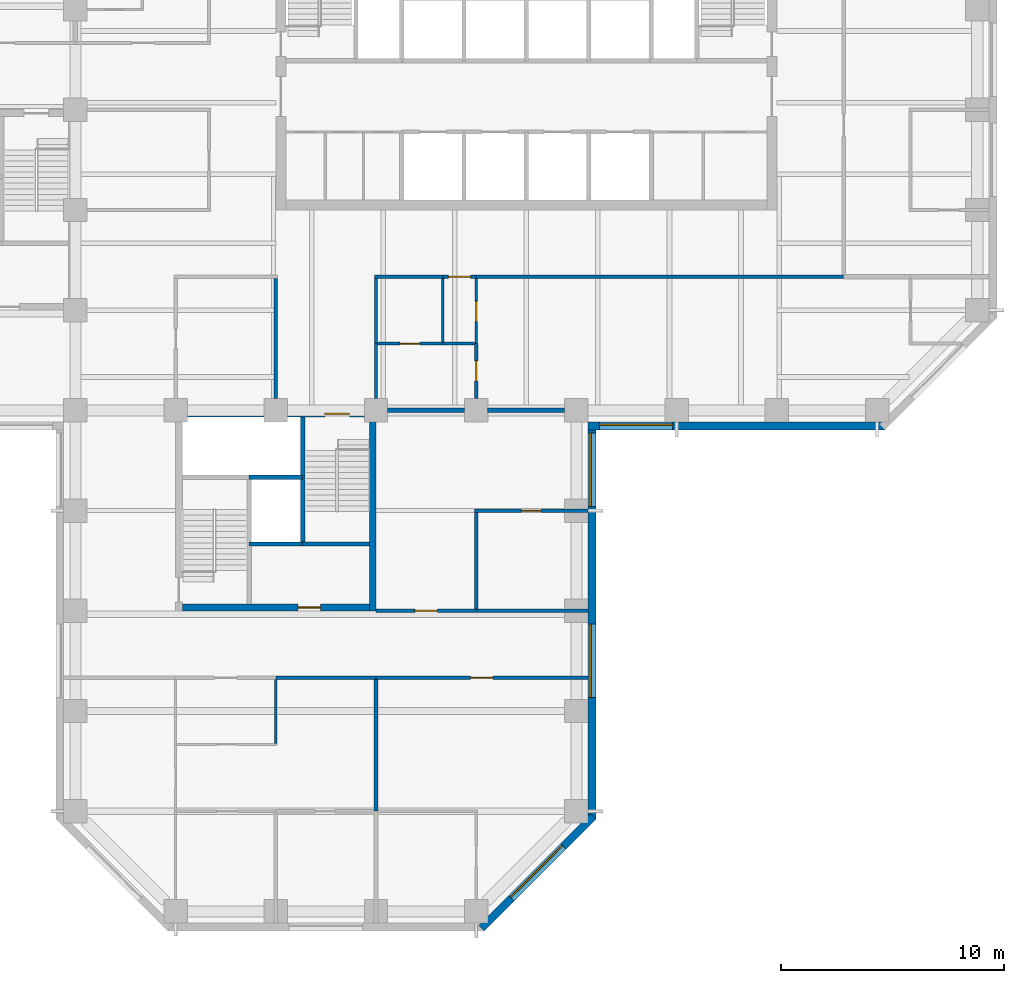
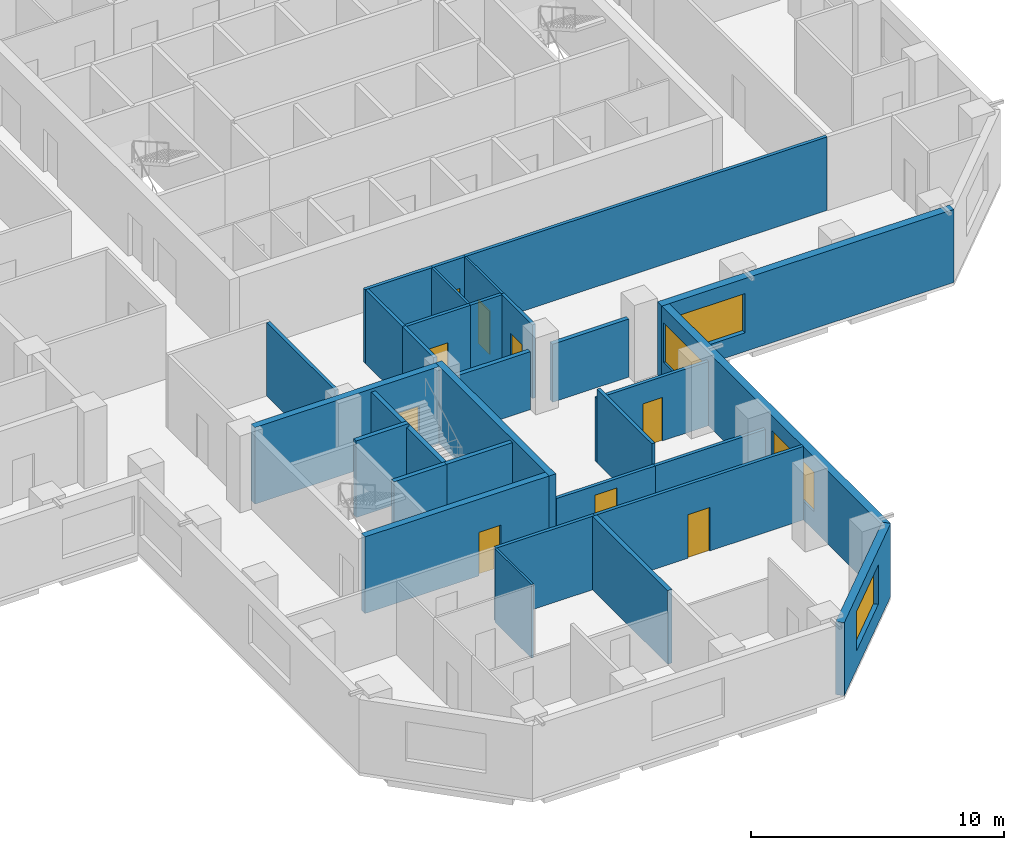
# One storey, part 4 of 11: 31 walls, 9 doors, 4 windows, 13 openings.
"""IFC4 building model written with IfcOpenShell, lengths in metres."""

from ifc_helpers import new_model, si_unit, direction, frame, frame_2d, origin, place, context, subcontext, project, spatial, rectangle, extrude, material, layer, layer_set, constituent, constituent_set, type_object, element, fill, save


model = new_model("IFC4")

# Units and contexts
model_context = context("Model", 3, precision=1e-05, world=origin(), true_north=direction((0.0, 1.0)))
body_context = subcontext(model_context, "Body", "Model", "MODEL_VIEW")
ifc_project = project(units=[si_unit("LENGTHUNIT", "METRE"), si_unit("AREAUNIT", "SQUARE_METRE"), si_unit("VOLUMEUNIT", "CUBIC_METRE"), si_unit("PLANEANGLEUNIT", "RADIAN"), si_unit("MASSUNIT", "GRAM", prefix="KILO")], contexts=[model_context])

# Site, building, storey
site_placement = place(None, origin())
site = spatial("IfcSite", under=ifc_project, at=site_placement, CompositionType="ELEMENT")
building_placement = place(site_placement, origin())
building = spatial("IfcBuilding", under=site, at=building_placement, Name="Quoin Convention Tower", CompositionType="ELEMENT")
storey_placement = place(building_placement, frame((0.0, 0.0, 123.300048828125)))
storey = spatial("IfcBuildingStorey", under=building, at=storey_placement, Name="L32", CompositionType="ELEMENT", Elevation=123.300048828125)

# Wall, opening, door
ifc_material_1 = material(Name="Plasterboard")
ifc_layer_1 = layer(ifc_material_1, 0.012451171875, Name="Finish")
ifc_material_2 = material(Name="Steel stud framing", Category="steel")
ifc_layer_2 = layer(ifc_material_2, 0.125, Name="Structure")
ifc_layer_3 = layer(ifc_material_1, 0.012451171875, Name="Finish")
ifc_layer_set_1 = layer_set([ifc_layer_1, ifc_layer_2, ifc_layer_3], Name="Steel stud framing")
wall_type_1 = type_object("IfcWallType", Name="Acoustic partition 150", PredefinedType="PARTITIONING", material=ifc_layer_set_1)
wall_1_placement = place(storey_placement, frame((49.574951171875, 43.5, 0.0), z_axis=(0.0, 0.0, 1.0), x_axis=(1.0, 0.0, 0.0)))
wall_1 = element("IfcWall", 1, at=wall_1_placement, inside=storey, type_object=wall_type_1, Name="pw-L32-014", PredefinedType="PARTITIONING", context=body_context, shape_type="SweptSolid", body=[
    extrude(rectangle(XDim=2.925048828125, YDim=0.14990234375, at=frame_2d((1.46240234375, 0.0))), origin(), (0.0, 0.0, 1.0), 3.550048828125),
])
opening_1_placement = place(wall_1_placement, frame((1.0, 0.0, 0.0)))
opening_1 = element("IfcOpeningElement", 2, at=opening_1_placement, cuts=wall_1, Name="Opening DOL6-08", PredefinedType="OPENING", context=body_context, shape_type="SweptSolid", body=[
    extrude(rectangle(XDim=0.89990234375, YDim=2.10009765625, at=frame_2d((0.449951171875, 1.050048828125))), frame((0.0, 0.0849609375, 0.0), z_axis=(0.0, -1.0, 0.0), x_axis=(1.0, 0.0, 0.0)), (0.0, 0.0, 1.0), 0.169921875),
])
ifc_material_3 = material(Name="Steel door leaf", Category="steel")
door_type_1 = type_object("IfcDoorType", Name="Office door 900 x 2100", OperationType="SINGLE_SWING_RIGHT", PredefinedType="DOOR", material=ifc_material_3)
door_1_placement = place(opening_1_placement, frame((0.89990234375, 0.0, 0.0), z_axis=(0.0, 0.0, 1.0), x_axis=(-1.0, 0.0, 0.0)))
door_1 = element("IfcDoor", 3, at=door_1_placement, inside=storey, type_object=door_type_1, Name="dr-L32-22", OperationType="SINGLE_SWING_LEFT", OverallHeight=2.10009765625, OverallWidth=0.89990234375, PredefinedType="DOOR", context=body_context, shape_type="SweptSolid", body=[
    extrude(rectangle(XDim=0.89990234375, YDim=2.10009765625, at=frame_2d((0.449951171875, 1.050048828125))), frame((0.0, 0.02490234375, 0.0), z_axis=(0.0, -1.0, 0.0), x_axis=(1.0, 0.0, 0.0)), (0.0, 0.0, 1.0), 0.050048828125),
])
fill(opening_1, door_1)

# Walls
wall_2_placement = place(storey_placement, frame((52.5, 43.5, 0.0), z_axis=(0.0, 0.0, 1.0), x_axis=(1.0, 0.0, 0.0)))
element("IfcWall", 4, at=wall_2_placement, inside=storey, type_object=wall_type_1, Name="pw-L32-015", PredefinedType="PARTITIONING", context=body_context, shape_type="SweptSolid", body=[
    extrude(rectangle(XDim=1.425048828125, YDim=0.14990234375, at=frame_2d((0.71240234375, 0.0))), origin(), (0.0, 0.0, 1.0), 3.550048828125),
])
wall_3_placement = place(storey_placement, frame((54.0, 31.574951171875, 0.0), z_axis=(0.0, 0.0, 1.0), x_axis=(0.0, 1.0, 0.0)))
element("IfcWall", 5, at=wall_3_placement, inside=storey, type_object=wall_type_1, Name="pw-L32-067", PredefinedType="PARTITIONING", context=body_context, shape_type="SweptSolid", body=[
    extrude(rectangle(XDim=4.35009765625, YDim=0.14990234375, at=frame_2d((2.175048828125, 0.0))), origin(), (0.0, 0.0, 1.0), 3.550048828125),
])

# Wall, opening, door
wall_4_placement = place(storey_placement, frame((54.0, 41.02490234375, 0.0), z_axis=(0.0, 0.0, 1.0), x_axis=(0.0, 1.0, 0.0)))
wall_4 = element("IfcWall", 6, at=wall_4_placement, inside=storey, type_object=wall_type_1, Name="pw-L32-072", PredefinedType="PARTITIONING", context=body_context, shape_type="SweptSolid", body=[
    extrude(rectangle(XDim=2.47509765625, YDim=0.14990234375, at=frame_2d((1.237548828125, 0.0))), origin(), (0.0, 0.0, 1.0), 3.550048828125),
])
opening_2_placement = place(wall_4_placement, frame((0.800048828125, 0.0, 0.0)))
opening_2 = element("IfcOpeningElement", 7, at=opening_2_placement, cuts=wall_4, Name="Opening DOL6-26", PredefinedType="OPENING", context=body_context, shape_type="SweptSolid", body=[
    extrude(rectangle(XDim=0.89990234375, YDim=2.10009765625, at=frame_2d((0.449951171875, 1.050048828125))), frame((0.0, 0.0849609375, 0.0), z_axis=(0.0, -1.0, 0.0), x_axis=(1.0, 0.0, 0.0)), (0.0, 0.0, 1.0), 0.169921875),
])
door_2_placement = place(opening_2_placement, frame((0.89990234375, 0.0, 0.0), z_axis=(0.0, 0.0, 1.0), x_axis=(-1.0, 0.0, 0.0)))
door_2 = element("IfcDoor", 8, at=door_2_placement, inside=storey, type_object=door_type_1, Name="dr-L32-21", OperationType="SINGLE_SWING_LEFT", OverallHeight=2.10009765625, OverallWidth=0.89990234375, PredefinedType="DOOR", context=body_context, shape_type="SweptSolid", body=[
    extrude(rectangle(XDim=0.89990234375, YDim=2.10009765625, at=frame_2d((0.449951171875, 1.050048828125))), frame((0.0, 0.02490234375, 0.0), z_axis=(0.0, -1.0, 0.0), x_axis=(1.0, 0.0, 0.0)), (0.0, 0.0, 1.0), 0.050048828125),
])
fill(opening_2, door_2)

ifc_layer_4 = layer(ifc_material_1, 0.012451171875, Name="Finish")
ifc_layer_5 = layer(ifc_material_2, 0.125, Name="Structure")
ifc_layer_6 = layer(ifc_material_1, 0.012451171875, Name="Finish")
ifc_layer_set_2 = layer_set([ifc_layer_4, ifc_layer_5, ifc_layer_6], Name="Steel stud framing")
wall_type_2 = type_object("IfcWallType", Name="Acoustic partition 150 under beam 454", PredefinedType="PARTITIONING", material=ifc_layer_set_2)
wall_5_placement = place(storey_placement, frame((53.925048828125, 36.0, 0.0), z_axis=(0.0, 0.0, 1.0), x_axis=(1.0, 0.0, 0.0)))
wall_5 = element("IfcWall", 9, at=wall_5_placement, inside=storey, type_object=wall_type_2, Name="pw-L32-011", PredefinedType="PARTITIONING", context=body_context, shape_type="SweptSolid", body=[
    extrude(rectangle(XDim=5.099853515625, YDim=0.14990234375, at=frame_2d((2.5498046875, 0.0))), origin(), (0.0, 0.0, 1.0), 3.095947265625),
])
opening_3_placement = place(wall_5_placement, frame((2.10009765625, 0.0, 0.0)))
opening_3 = element("IfcOpeningElement", 10, at=opening_3_placement, cuts=wall_5, Name="Opening DOL6-07", PredefinedType="OPENING", context=body_context, shape_type="SweptSolid", body=[
    extrude(rectangle(XDim=0.89990234375, YDim=2.10009765625, at=frame_2d((0.449951171875, 1.050048828125))), frame((0.0, 0.0849609375, 0.0), z_axis=(0.0, -1.0, 0.0), x_axis=(1.0, 0.0, 0.0)), (0.0, 0.0, 1.0), 0.169921875),
])
door_3_placement = place(opening_3_placement, origin())
door_3 = element("IfcDoor", 11, at=door_3_placement, inside=storey, type_object=door_type_1, Name="dr-L32-17", OperationType="SINGLE_SWING_RIGHT", OverallHeight=2.10009765625, OverallWidth=0.89990234375, PredefinedType="DOOR", context=body_context, shape_type="SweptSolid", body=[
    extrude(rectangle(XDim=0.89990234375, YDim=2.10009765625, at=frame_2d((0.449951171875, 1.050048828125))), frame((0.0, 0.02490234375, 0.0), z_axis=(0.0, -1.0, 0.0), x_axis=(1.0, 0.0, 0.0)), (0.0, 0.0, 1.0), 0.050048828125),
])
fill(opening_3, door_3)

# Wall, opening, window
ifc_material_4 = material(Name="Brick masonry", Category="masonry")
ifc_layer_7 = layer(ifc_material_4, 0.35009765625)
ifc_layer_set_3 = layer_set([ifc_layer_7], Name="Brick masonry")
wall_type_3 = type_object("IfcWallType", Name="Brick facade wall", PredefinedType="STANDARD", material=ifc_layer_set_3)
wall_6_placement = place(storey_placement, frame((59.02490234375, 39.800048828125, 0.0), z_axis=(0.0, 0.0, 1.0), x_axis=(1.0, 0.0, 0.0)))
wall_6 = element("IfcWall", 12, at=wall_6_placement, inside=storey, type_object=wall_type_3, Name="fw-L32-58500_40500", PredefinedType="STANDARD", context=body_context, shape_type="SweptSolid", body=[
    extrude(rectangle(XDim=13.33740234375, YDim=0.35009765625, at=frame_2d((6.668701171875, 0.0))), origin(), (0.0, 0.0, 1.0), 3.52490234375),
])
opening_4_placement = place(wall_6_placement, frame((0.5, 0.0, 0.89990234375)))
opening_4 = element("IfcOpeningElement", 13, at=opening_4_placement, cuts=wall_6, Name="Opening W-02", PredefinedType="OPENING", context=body_context, shape_type="SweptSolid", body=[
    extrude(rectangle(XDim=3.300048828125, YDim=1.89990234375, at=frame_2d((1.64990234375, 0.949951171875))), frame((0.0, 0.18505859375, 0.0), z_axis=(0.0, -1.0, 0.0), x_axis=(1.0, 0.0, 0.0)), (0.0, 0.0, 1.0), 0.3701171875),
])
ifc_material_5 = material(Name="Aluminium", Category="aluminium")
ifc_constituent_1 = constituent(ifc_material_5, Name="Frame")
ifc_material_6 = material(Name="Insulated glass", Category="glass")
ifc_constituent_2 = constituent(ifc_material_6, Name="Glazing")
ifc_constituent_set = constituent_set(constituents=[ifc_constituent_1, ifc_constituent_2], Name="Aluminium")
window_type = type_object("IfcWindowType", Name="Office window", PartitioningType="DOUBLE_PANEL_VERTICAL", PredefinedType="WINDOW", material=ifc_constituent_set)
window_1_placement = place(opening_4_placement, origin())
window_1 = element("IfcWindow", 14, at=window_1_placement, inside=storey, type_object=window_type, Name="win-L32-60750_39800", OverallHeight=1.89990234375, OverallWidth=3.300048828125, PartitioningType="SINGLE_PANEL", PredefinedType="WINDOW", context=body_context, shape_type="SweptSolid", body=[
    extrude(rectangle(XDim=3.300048828125, YDim=1.89990234375, at=frame_2d((1.64990234375, 0.949951171875))), frame((0.0, 0.0849609375, 0.0), z_axis=(0.0, -1.0, 0.0), x_axis=(1.0, 0.0, 0.0)), (0.0, 0.0, 1.0), 0.06005859375),
])
fill(opening_4, window_1)

wall_7_placement = place(storey_placement, frame((54.23876953125, 17.248779296875, 0.0), z_axis=(0.0, 0.0, 1.0), x_axis=(0.707106781187, 0.707106781187, 0.0)))
wall_7 = element("IfcWall", 15, at=wall_7_placement, inside=storey, type_object=wall_type_3, Name="fw-L32-54000_18000", PredefinedType="STANDARD", context=body_context, shape_type="SweptSolid", body=[
    extrude(rectangle(XDim=7.088623046875, YDim=0.35009765625, at=frame_2d((3.54443359375, 0.0))), origin(), (0.0, 0.0, 1.0), 3.52490234375),
])
opening_5_placement = place(wall_7_placement, frame((1.894287109375, 0.0, 0.89990234375)))
opening_5 = element("IfcOpeningElement", 16, at=opening_5_placement, cuts=wall_7, Name="Opening W-02", PredefinedType="OPENING", context=body_context, shape_type="SweptSolid", body=[
    extrude(rectangle(XDim=3.300048828125, YDim=1.89990234375, at=frame_2d((1.64990234375, 0.949951171875))), frame((0.0, 0.18505859375, 0.0), z_axis=(0.0, -1.0, 0.0), x_axis=(1.0, 0.0, 0.0)), (0.0, 0.0, 1.0), 0.3701171875),
])
window_2_placement = place(opening_5_placement, origin())
window_2 = element("IfcWindow", 17, at=window_2_placement, inside=storey, type_object=window_type, Name="win-L32-56745_19755", OverallHeight=1.89990234375, OverallWidth=3.300048828125, PartitioningType="SINGLE_PANEL", PredefinedType="WINDOW", context=body_context, shape_type="SweptSolid", body=[
    extrude(rectangle(XDim=3.300048828125, YDim=1.89990234375, at=frame_2d((1.64990234375, 0.949951171875))), frame((0.0, 0.0849609375, 0.0), z_axis=(0.0, -1.0, 0.0), x_axis=(1.0, 0.0, 0.0)), (0.0, 0.0, 1.0), 0.06005859375),
])
fill(opening_5, window_2)

# Wall, openings, windows
wall_8_placement = place(storey_placement, frame((59.199951171875, 22.1376953125, 0.0), z_axis=(0.0, 0.0, 1.0), x_axis=(0.0, 1.0, 0.0)))
wall_8 = element("IfcWall", 18, at=wall_8_placement, inside=storey, type_object=wall_type_3, Name="fw-L32-58500_22500", PredefinedType="STANDARD", context=body_context, shape_type="SweptSolid", body=[
    extrude(rectangle(XDim=17.83740234375, YDim=0.35009765625, at=frame_2d((8.918701171875, 0.0))), origin(), (0.0, 0.0, 1.0), 3.52490234375),
])
opening_6_placement = place(wall_8_placement, frame((5.46240234375, 0.0, 0.89990234375)))
opening_6 = element("IfcOpeningElement", 19, at=opening_6_placement, cuts=wall_8, Name="Opening W-02", PredefinedType="OPENING", context=body_context, shape_type="SweptSolid", body=[
    extrude(rectangle(XDim=3.300048828125, YDim=1.89990234375, at=frame_2d((1.64990234375, 0.949951171875))), frame((0.0, 0.18505859375, 0.0), z_axis=(0.0, -1.0, 0.0), x_axis=(1.0, 0.0, 0.0)), (0.0, 0.0, 1.0), 0.3701171875),
])
opening_7_placement = place(wall_8_placement, frame((14.037353515625, 0.0, 0.89990234375)))
opening_7 = element("IfcOpeningElement", 20, at=opening_7_placement, cuts=wall_8, Name="Opening W-02", PredefinedType="OPENING", context=body_context, shape_type="SweptSolid", body=[
    extrude(rectangle(XDim=3.300048828125, YDim=1.89990234375, at=frame_2d((1.64990234375, 0.949951171875))), frame((0.0, 0.18505859375, 0.0), z_axis=(0.0, -1.0, 0.0), x_axis=(1.0, 0.0, 0.0)), (0.0, 0.0, 1.0), 0.3701171875),
])
window_3_placement = place(opening_6_placement, origin())
window_3 = element("IfcWindow", 21, at=window_3_placement, inside=storey, type_object=window_type, Name="win-L32-59200_29250", OverallHeight=1.89990234375, OverallWidth=3.300048828125, PartitioningType="SINGLE_PANEL", PredefinedType="WINDOW", context=body_context, shape_type="SweptSolid", body=[
    extrude(rectangle(XDim=3.300048828125, YDim=1.89990234375, at=frame_2d((1.64990234375, 0.949951171875))), frame((0.0, 0.0849609375, 0.0), z_axis=(0.0, -1.0, 0.0), x_axis=(1.0, 0.0, 0.0)), (0.0, 0.0, 1.0), 0.06005859375),
])
fill(opening_6, window_3)
window_4_placement = place(opening_7_placement, origin())
window_4 = element("IfcWindow", 22, at=window_4_placement, inside=storey, type_object=window_type, Name="win-L32-59200_38250", OverallHeight=1.89990234375, OverallWidth=3.300048828125, PartitioningType="SINGLE_PANEL", PredefinedType="WINDOW", context=body_context, shape_type="SweptSolid", body=[
    extrude(rectangle(XDim=3.300048828125, YDim=1.89990234375, at=frame_2d((1.64990234375, 0.949951171875))), frame((0.0, 0.0849609375, 0.0), z_axis=(0.0, -1.0, 0.0), x_axis=(1.0, 0.0, 0.0)), (0.0, 0.0, 1.0), 0.06005859375),
])
fill(opening_7, window_4)

# Walls
ifc_material_7 = material(Name="Concrete C50", Category="concrete")
ifc_layer_8 = layer(ifc_material_7, 0.199951171875)
ifc_layer_set_4 = layer_set([ifc_layer_8], Name="Concrete C50")
wall_type_4 = type_object("IfcWallType", Name="Core shaft wall", PredefinedType="SOLIDWALL", material=ifc_layer_set_4)
wall_9_placement = place(storey_placement, frame((43.800048828125, 34.5, 0.0), z_axis=(0.0, 0.0, 1.0), x_axis=(1.0, 0.0, 0.0)))
element("IfcWall", 23, at=wall_9_placement, inside=storey, type_object=wall_type_4, Name="cr-P3-L32-h3000_3300", PredefinedType="SOLIDWALL", context=body_context, shape_type="SweptSolid", body=[
    extrude(rectangle(XDim=2.39990234375, YDim=0.199951171875, at=frame_2d((1.199951171875, 0.0))), origin(), (0.0, 0.0, 1.0), 3.550048828125),
])
wall_10_placement = place(storey_placement, frame((46.199951171875, 34.5, 0.0), z_axis=(0.0, 0.0, 1.0), x_axis=(1.0, 0.0, 0.0)))
element("IfcWall", 24, at=wall_10_placement, inside=storey, type_object=wall_type_4, Name="cr-P3-L32-h3000_5700", PredefinedType="SOLIDWALL", context=body_context, shape_type="SweptSolid", body=[
    extrude(rectangle(XDim=3.0, YDim=0.199951171875, at=frame_2d((1.5, 0.0))), origin(), (0.0, 0.0, 1.0), 3.550048828125),
])
wall_11_placement = place(storey_placement, frame((46.199951171875, 34.5, 0.0), z_axis=(0.0, 0.0, 1.0), x_axis=(0.0, 1.0, 0.0)))
element("IfcWall", 25, at=wall_11_placement, inside=storey, type_object=wall_type_4, Name="cr-P3-L32-v5700_3000", PredefinedType="SOLIDWALL", context=body_context, shape_type="SweptSolid", body=[
    extrude(rectangle(XDim=5.699951171875, YDim=0.199951171875, at=frame_2d((2.85009765625, 0.0))), origin(), (0.0, 0.0, 1.0), 3.550048828125),
])
ifc_layer_9 = layer(ifc_material_7, 0.199951171875)
ifc_layer_set_5 = layer_set([ifc_layer_9], Name="Concrete C50")
wall_type_5 = type_object("IfcWallType", Name="Core shaft wall to the floor level over", PredefinedType="SOLIDWALL", material=ifc_layer_set_5)
wall_12_placement = place(storey_placement, frame((43.800048828125, 37.5, 0.0), z_axis=(0.0, 0.0, 1.0), x_axis=(1.0, 0.0, 0.0)))
element("IfcWall", 26, at=wall_12_placement, inside=storey, type_object=wall_type_5, Name="cr-P3-L32-h6000_3300", PredefinedType="SOLIDWALL", context=body_context, shape_type="SweptSolid", body=[
    extrude(rectangle(XDim=2.39990234375, YDim=0.199951171875, at=frame_2d((1.199951171875, 0.0))), origin(), (0.0, 0.0, 1.0), 3.699951171875),
])
ifc_layer_10 = layer(ifc_material_1, 0.012451171875, Name="Finish")
ifc_layer_11 = layer(ifc_material_2, 0.125, Name="Structure")
ifc_layer_12 = layer(ifc_material_1, 0.012451171875, Name="Finish")
ifc_layer_set_6 = layer_set([ifc_layer_10, ifc_layer_11, ifc_layer_12], Name="Steel stud framing")
wall_type_6 = type_object("IfcWallType", Name="Corridor wall 150", PredefinedType="PARTITIONING", material=ifc_layer_set_6)
wall_13_placement = place(storey_placement, frame((45.0, 28.5, 0.0), z_axis=(0.0, 0.0, 1.0), x_axis=(1.0, 0.0, 0.0)))
element("IfcWall", 27, at=wall_13_placement, inside=storey, type_object=wall_type_6, Name="pw-L32-007", PredefinedType="PARTITIONING", context=body_context, shape_type="SweptSolid", body=[
    extrude(rectangle(XDim=4.5, YDim=0.14990234375, at=frame_2d((2.25, 0.0))), origin(), (0.0, 0.0, 1.0), 3.550048828125),
])

# Wall, opening, door
wall_14_placement = place(storey_placement, frame((49.5, 28.5, 0.0), z_axis=(0.0, 0.0, 1.0), x_axis=(1.0, 0.0, 0.0)))
wall_14 = element("IfcWall", 28, at=wall_14_placement, inside=storey, type_object=wall_type_6, Name="pw-L32-008", PredefinedType="PARTITIONING", context=body_context, shape_type="SweptSolid", body=[
    extrude(rectangle(XDim=9.52490234375, YDim=0.14990234375, at=frame_2d((4.762451171875, 0.0))), origin(), (0.0, 0.0, 1.0), 3.550048828125),
])
opening_8_placement = place(wall_14_placement, frame((4.25, 0.0, 0.0)))
opening_8 = element("IfcOpeningElement", 29, at=opening_8_placement, cuts=wall_14, Name="Opening DOL6-05", PredefinedType="OPENING", context=body_context, shape_type="SweptSolid", body=[
    extrude(rectangle(XDim=1.0, YDim=2.10009765625, at=frame_2d((0.5, 1.050048828125))), frame((0.0, 0.0849609375, 0.0), z_axis=(0.0, -1.0, 0.0), x_axis=(1.0, 0.0, 0.0)), (0.0, 0.0, 1.0), 0.169921875),
])
door_type_2 = type_object("IfcDoorType", Name="Tenancy entrance door 1000 x 2100", OperationType="DOUBLE_DOOR_SINGLE_SWING", PredefinedType="DOOR", material=ifc_material_3)
door_4_placement = place(opening_8_placement, frame((1.0, 0.0, 0.0), z_axis=(0.0, 0.0, 1.0), x_axis=(-1.0, 0.0, 0.0)))
door_4 = element("IfcDoor", 30, at=door_4_placement, inside=storey, type_object=door_type_2, Name="dr-L32-14", OperationType="DOUBLE_DOOR_SINGLE_SWING", OverallHeight=2.10009765625, OverallWidth=1.0, PredefinedType="DOOR", context=body_context, shape_type="SweptSolid", body=[
    extrude(rectangle(XDim=1.0, YDim=2.10009765625, at=frame_2d((0.5, 1.050048828125))), frame((0.0, 0.02490234375, 0.0), z_axis=(0.0, -1.0, 0.0), x_axis=(1.0, 0.0, 0.0)), (0.0, 0.0, 1.0), 0.050048828125),
])
fill(opening_8, door_4)

# Wall
wall_15_placement = place(storey_placement, frame((49.425048828125, 46.5, 0.0), z_axis=(0.0, 0.0, 1.0), x_axis=(1.0, 0.0, 0.0)))
element("IfcWall", 31, at=wall_15_placement, inside=storey, type_object=wall_type_6, Name="pw-L32-021", PredefinedType="PARTITIONING", context=body_context, shape_type="SweptSolid", body=[
    extrude(rectangle(XDim=3.074951171875, YDim=0.14990234375, at=frame_2d((1.53759765625, 0.0))), origin(), (0.0, 0.0, 1.0), 3.550048828125),
])

# Wall, opening, door
wall_16_placement = place(storey_placement, frame((52.5, 46.5, 0.0), z_axis=(0.0, 0.0, 1.0), x_axis=(1.0, 0.0, 0.0)))
wall_16 = element("IfcWall", 32, at=wall_16_placement, inside=storey, type_object=wall_type_6, Name="pw-L32-022", PredefinedType="PARTITIONING", context=body_context, shape_type="SweptSolid", body=[
    extrude(rectangle(XDim=1.5, YDim=0.14990234375, at=frame_2d((0.75, 0.0))), origin(), (0.0, 0.0, 1.0), 3.550048828125),
])
opening_9_placement = place(wall_16_placement, frame((0.25, 0.0, 0.0)))
opening_9 = element("IfcOpeningElement", 33, at=opening_9_placement, cuts=wall_16, Name="Opening DOL6-09", PredefinedType="OPENING", context=body_context, shape_type="SweptSolid", body=[
    extrude(rectangle(XDim=1.0, YDim=2.10009765625, at=frame_2d((0.5, 1.050048828125))), frame((0.0, 0.0849609375, 0.0), z_axis=(0.0, -1.0, 0.0), x_axis=(1.0, 0.0, 0.0)), (0.0, 0.0, 1.0), 0.169921875),
])
door_5_placement = place(opening_9_placement, frame((1.0, 0.0, 0.0), z_axis=(0.0, 0.0, 1.0), x_axis=(-1.0, 0.0, 0.0)))
door_5 = element("IfcDoor", 34, at=door_5_placement, inside=storey, type_object=door_type_2, Name="dr-L32-18", OperationType="DOUBLE_DOOR_SINGLE_SWING", OverallHeight=2.10009765625, OverallWidth=1.0, PredefinedType="DOOR", context=body_context, shape_type="SweptSolid", body=[
    extrude(rectangle(XDim=1.0, YDim=2.10009765625, at=frame_2d((0.5, 1.050048828125))), frame((0.0, 0.02490234375, 0.0), z_axis=(0.0, -1.0, 0.0), x_axis=(1.0, 0.0, 0.0)), (0.0, 0.0, 1.0), 0.050048828125),
])
fill(opening_9, door_5)

# Walls
wall_17_placement = place(storey_placement, frame((54.0, 46.5, 0.0), z_axis=(0.0, 0.0, 1.0), x_axis=(1.0, 0.0, 0.0)))
element("IfcWall", 35, at=wall_17_placement, inside=storey, type_object=wall_type_6, Name="pw-L32-023", PredefinedType="PARTITIONING", context=body_context, shape_type="SweptSolid", body=[
    extrude(rectangle(XDim=16.5, YDim=0.14990234375, at=frame_2d((8.25, 0.0))), origin(), (0.0, 0.0, 1.0), 3.550048828125),
])
wall_18_placement = place(storey_placement, frame((45.0, 41.02490234375, 0.0), z_axis=(0.0, 0.0, 1.0), x_axis=(0.0, 1.0, 0.0)))
element("IfcWall", 36, at=wall_18_placement, inside=storey, type_object=wall_type_6, Name="pw-L32-070", PredefinedType="PARTITIONING", context=body_context, shape_type="SweptSolid", body=[
    extrude(rectangle(XDim=5.400146484375, YDim=0.14990234375, at=frame_2d((2.7001953125, 0.0))), origin(), (0.0, 0.0, 1.0), 3.550048828125),
])
wall_19_placement = place(storey_placement, frame((49.5, 41.02490234375, 0.0), z_axis=(0.0, 0.0, 1.0), x_axis=(0.0, 1.0, 0.0)))
element("IfcWall", 37, at=wall_19_placement, inside=storey, type_object=wall_type_6, Name="pw-L32-071", PredefinedType="PARTITIONING", context=body_context, shape_type="SweptSolid", body=[
    extrude(rectangle(XDim=2.47509765625, YDim=0.14990234375, at=frame_2d((1.237548828125, 0.0))), origin(), (0.0, 0.0, 1.0), 3.550048828125),
])
wall_20_placement = place(storey_placement, frame((49.5, 43.5, 0.0), z_axis=(0.0, 0.0, 1.0), x_axis=(0.0, 1.0, 0.0)))
element("IfcWall", 38, at=wall_20_placement, inside=storey, type_object=wall_type_6, Name="pw-L32-073", PredefinedType="PARTITIONING", context=body_context, shape_type="SweptSolid", body=[
    extrude(rectangle(XDim=2.925048828125, YDim=0.14990234375, at=frame_2d((1.46240234375, 0.0))), origin(), (0.0, 0.0, 1.0), 3.550048828125),
])

# Wall, opening, door
ifc_layer_13 = layer(ifc_material_1, 0.012451171875, Name="Finish")
ifc_layer_14 = layer(ifc_material_2, 0.125, Name="Structure")
ifc_layer_15 = layer(ifc_material_1, 0.012451171875, Name="Finish")
ifc_layer_set_7 = layer_set([ifc_layer_13, ifc_layer_14, ifc_layer_15], Name="Steel stud framing")
wall_type_7 = type_object("IfcWallType", Name="Corridor wall 150 under beam 1000", PredefinedType="PARTITIONING", material=ifc_layer_set_7)
wall_21_placement = place(storey_placement, frame((49.5, 31.5, 0.0), z_axis=(0.0, 0.0, 1.0), x_axis=(1.0, 0.0, 0.0)))
wall_21 = element("IfcWall", 39, at=wall_21_placement, inside=storey, type_object=wall_type_7, Name="pw-L32-009", PredefinedType="PARTITIONING", context=body_context, shape_type="SweptSolid", body=[
    extrude(rectangle(XDim=4.5, YDim=0.14990234375, at=frame_2d((2.25, 0.0))), origin(), (0.0, 0.0, 1.0), 2.550048828125),
])
opening_10_placement = place(wall_21_placement, frame((1.75, 0.0, 0.0)))
opening_10 = element("IfcOpeningElement", 40, at=opening_10_placement, cuts=wall_21, Name="Opening DOL6-06", PredefinedType="OPENING", context=body_context, shape_type="SweptSolid", body=[
    extrude(rectangle(XDim=1.0, YDim=2.10009765625, at=frame_2d((0.5, 1.050048828125))), frame((0.0, 0.0849609375, 0.0), z_axis=(0.0, -1.0, 0.0), x_axis=(1.0, 0.0, 0.0)), (0.0, 0.0, 1.0), 0.169921875),
])
door_6_placement = place(opening_10_placement, origin())
door_6 = element("IfcDoor", 41, at=door_6_placement, inside=storey, type_object=door_type_2, Name="dr-L32-16", OperationType="DOUBLE_DOOR_SINGLE_SWING", OverallHeight=2.10009765625, OverallWidth=1.0, PredefinedType="DOOR", context=body_context, shape_type="SweptSolid", body=[
    extrude(rectangle(XDim=1.0, YDim=2.10009765625, at=frame_2d((0.5, 1.050048828125))), frame((0.0, 0.02490234375, 0.0), z_axis=(0.0, -1.0, 0.0), x_axis=(1.0, 0.0, 0.0)), (0.0, 0.0, 1.0), 0.050048828125),
])
fill(opening_10, door_6)

# Wall
wall_22_placement = place(storey_placement, frame((54.0, 31.5, 0.0), z_axis=(0.0, 0.0, 1.0), x_axis=(1.0, 0.0, 0.0)))
element("IfcWall", 42, at=wall_22_placement, inside=storey, type_object=wall_type_7, Name="pw-L32-010", PredefinedType="PARTITIONING", context=body_context, shape_type="SweptSolid", body=[
    extrude(rectangle(XDim=5.02490234375, YDim=0.14990234375, at=frame_2d((2.512451171875, 0.0))), origin(), (0.0, 0.0, 1.0), 2.550048828125),
])

# Wall, opening, door
ifc_material_8 = material(Name="Concrete C65", Category="concrete")
ifc_layer_16 = layer(ifc_material_8, 0.300048828125)
ifc_layer_set_8 = layer_set([ifc_layer_16], Name="Concrete C65")
wall_type_8 = type_object("IfcWallType", Name="RC CORE WALL 300 C65", PredefinedType="SHEAR", material=ifc_layer_set_8)
wall_23_placement = place(storey_placement, frame((40.800048828125, 31.64990234375, 0.0), z_axis=(0.0, 0.0, 1.0), x_axis=(1.0, 0.0, 0.0)))
wall_23 = element("IfcWall", 43, at=wall_23_placement, inside=storey, type_object=wall_type_8, Name="cwl-P3-L32-S", PredefinedType="SHEAR", context=body_context, shape_type="SweptSolid", body=[
    extrude(rectangle(XDim=8.39990234375, YDim=0.300048828125, at=frame_2d((4.199951171875, 0.0))), origin(), (0.0, 0.0, 1.0), 3.699951171875),
])
opening_11_placement = place(wall_23_placement, frame((5.199951171875, 0.0, 0.0)))
opening_11 = element("IfcOpeningElement", 44, at=opening_11_placement, cuts=wall_23, Name="Opening DCV5-52", PredefinedType="OPENING", context=body_context, shape_type="SweptSolid", body=[
    extrude(rectangle(XDim=1.0, YDim=2.10009765625, at=frame_2d((0.5, 1.050048828125))), frame((0.0, 0.159912109375, 0.0), z_axis=(0.0, -1.0, 0.0), x_axis=(1.0, 0.0, 0.0)), (0.0, 0.0, 1.0), 0.320068359375),
])
door_type_3 = type_object("IfcDoorType", Name="Service door 1000 x 2100", OperationType="SINGLE_SWING_LEFT", PredefinedType="DOOR", material=ifc_material_3)
door_7_placement = place(opening_11_placement, origin())
door_7 = element("IfcDoor", 45, at=door_7_placement, inside=storey, type_object=door_type_3, Name="cd-P3-L32-R2-S", OperationType="SINGLE_SWING_LEFT", OverallHeight=2.10009765625, OverallWidth=1.0, PredefinedType="DOOR", context=body_context, shape_type="SweptSolid", body=[
    extrude(rectangle(XDim=1.0, YDim=2.10009765625, at=frame_2d((0.5, 1.050048828125))), frame((0.0, 0.02490234375, 0.0), z_axis=(0.0, -1.0, 0.0), x_axis=(1.0, 0.0, 0.0)), (0.0, 0.0, 1.0), 0.050048828125),
])
fill(opening_11, door_7)

wall_24_placement = place(storey_placement, frame((40.800048828125, 40.35009765625, 0.0), z_axis=(0.0, 0.0, 1.0), x_axis=(1.0, 0.0, 0.0)))
wall_24 = element("IfcWall", 46, at=wall_24_placement, inside=storey, type_object=wall_type_8, Name="cwl-P3-L32-N", PredefinedType="SHEAR", context=body_context, shape_type="SweptSolid", body=[
    extrude(rectangle(XDim=8.39990234375, YDim=0.300048828125, at=frame_2d((4.199951171875, 0.0))), origin(), (0.0, 0.0, 1.0), 3.699951171875),
])
opening_12_placement = place(wall_24_placement, frame((6.39990234375, 0.0, 0.0)))
opening_12 = element("IfcOpeningElement", 47, at=opening_12_placement, cuts=wall_24, Name="Opening SD6", PredefinedType="OPENING", context=body_context, shape_type="SweptSolid", body=[
    extrude(rectangle(XDim=1.10009765625, YDim=2.10009765625, at=frame_2d((0.550048828125, 1.050048828125))), frame((0.0, 0.159912109375, 0.0), z_axis=(0.0, -1.0, 0.0), x_axis=(1.0, 0.0, 0.0)), (0.0, 0.0, 1.0), 0.320068359375),
])
door_type_4 = type_object("IfcDoorType", Name="Stair door 1100 x 2100", OperationType="SINGLE_SWING_RIGHT", PredefinedType="DOOR", material=ifc_material_3)
door_8_placement = place(opening_12_placement, frame((1.10009765625, 0.0, 0.0), z_axis=(0.0, 0.0, 1.0), x_axis=(-1.0, 0.0, 0.0)))
door_8 = element("IfcDoor", 48, at=door_8_placement, inside=storey, type_object=door_type_4, Name="cd-P3-L32-SB-N", OperationType="SINGLE_SWING_LEFT", OverallHeight=2.10009765625, OverallWidth=1.10009765625, PredefinedType="DOOR", context=body_context, shape_type="SweptSolid", body=[
    extrude(rectangle(XDim=1.10009765625, YDim=2.10009765625, at=frame_2d((0.550048828125, 1.050048828125))), frame((0.0, 0.02490234375, 0.0), z_axis=(0.0, -1.0, 0.0), x_axis=(1.0, 0.0, 0.0)), (0.0, 0.0, 1.0), 0.050048828125),
])
fill(opening_12, door_8)

# Walls
wall_25_placement = place(storey_placement, frame((49.35009765625, 31.5, 0.0), z_axis=(0.0, 0.0, 1.0), x_axis=(0.0, 1.0, 0.0)))
element("IfcWall", 49, at=wall_25_placement, inside=storey, type_object=wall_type_8, Name="cwl-P3-L32-E", PredefinedType="SHEAR", context=body_context, shape_type="SweptSolid", body=[
    extrude(rectangle(XDim=9.0, YDim=0.300048828125, at=frame_2d((4.5, 0.0))), origin(), (0.0, 0.0, 1.0), 3.699951171875),
])
ifc_layer_17 = layer(ifc_material_1, 0.012451171875, Name="Finish")
ifc_layer_18 = layer(ifc_material_2, 0.074951171875, Name="Structure")
ifc_layer_19 = layer(ifc_material_1, 0.012451171875, Name="Finish")
ifc_layer_set_9 = layer_set([ifc_layer_17, ifc_layer_18, ifc_layer_19], Name="Steel stud framing")
wall_type_9 = type_object("IfcWallType", Name="Stud partition 100", PredefinedType="PARTITIONING", material=ifc_layer_set_9)
wall_26_placement = place(storey_placement, frame((45.0, 25.550048828125, 0.0), z_axis=(0.0, 0.0, 1.0), x_axis=(0.0, 1.0, 0.0)))
element("IfcWall", 50, at=wall_26_placement, inside=storey, type_object=wall_type_9, Name="pw-L32-066", PredefinedType="PARTITIONING", context=body_context, shape_type="SweptSolid", body=[
    extrude(rectangle(XDim=2.875, YDim=0.10009765625, at=frame_2d((1.4375, 0.0))), origin(), (0.0, 0.0, 1.0), 3.550048828125),
])

# Wall, opening, door
wall_27_placement = place(storey_placement, frame((54.0, 43.5, 0.0), z_axis=(0.0, 0.0, 1.0), x_axis=(0.0, 1.0, 0.0)))
wall_27 = element("IfcWall", 51, at=wall_27_placement, inside=storey, type_object=wall_type_9, Name="pw-L32-074", PredefinedType="PARTITIONING", context=body_context, shape_type="SweptSolid", body=[
    extrude(rectangle(XDim=2.925048828125, YDim=0.10009765625, at=frame_2d((1.46240234375, 0.0))), origin(), (0.0, 0.0, 1.0), 3.550048828125),
])
opening_13_placement = place(wall_27_placement, frame((1.0, 0.0, 0.0)))
opening_13 = element("IfcOpeningElement", 52, at=opening_13_placement, cuts=wall_27, Name="Opening DOL6-27", PredefinedType="OPENING", context=body_context, shape_type="SweptSolid", body=[
    extrude(rectangle(XDim=0.89990234375, YDim=2.10009765625, at=frame_2d((0.449951171875, 1.050048828125))), frame((0.0, 0.06005859375, 0.0), z_axis=(0.0, -1.0, 0.0), x_axis=(1.0, 0.0, 0.0)), (0.0, 0.0, 1.0), 0.1201171875),
])
door_9_placement = place(opening_13_placement, frame((0.89990234375, 0.0, 0.0), z_axis=(0.0, 0.0, 1.0), x_axis=(-1.0, 0.0, 0.0)))
door_9 = element("IfcDoor", 53, at=door_9_placement, inside=storey, type_object=door_type_1, Name="dr-L32-19", OperationType="SINGLE_SWING_LEFT", OverallHeight=2.10009765625, OverallWidth=0.89990234375, PredefinedType="DOOR", context=body_context, shape_type="SweptSolid", body=[
    extrude(rectangle(XDim=0.89990234375, YDim=2.10009765625, at=frame_2d((0.449951171875, 1.050048828125))), frame((0.0, 0.02490234375, 0.0), z_axis=(0.0, -1.0, 0.0), x_axis=(1.0, 0.0, 0.0)), (0.0, 0.0, 1.0), 0.050048828125),
])
fill(opening_13, door_9)

# Walls
wall_28_placement = place(storey_placement, frame((52.5, 43.574951171875, 0.0), z_axis=(0.0, 0.0, 1.0), x_axis=(0.0, 1.0, 0.0)))
element("IfcWall", 54, at=wall_28_placement, inside=storey, type_object=wall_type_9, Name="pw-L32-075", PredefinedType="PARTITIONING", context=body_context, shape_type="SweptSolid", body=[
    extrude(rectangle(XDim=2.85009765625, YDim=0.10009765625, at=frame_2d((1.425048828125, 0.0))), origin(), (0.0, 0.0, 1.0), 3.550048828125),
])
ifc_layer_20 = layer(ifc_material_1, 0.012451171875, Name="Finish")
ifc_layer_21 = layer(ifc_material_2, 0.175048828125, Name="Structure")
ifc_layer_22 = layer(ifc_material_1, 0.012451171875, Name="Finish")
ifc_layer_set_10 = layer_set([ifc_layer_20, ifc_layer_21, ifc_layer_22], Name="Steel stud framing")
wall_type_10 = type_object("IfcWallType", Name="Tenancy demising wall 200", PredefinedType="PARTITIONING", material=ifc_layer_set_10)
wall_29_placement = place(storey_placement, frame((49.5, 22.5, 0.0), z_axis=(0.0, 0.0, 1.0), x_axis=(0.0, 1.0, 0.0)))
element("IfcWall", 55, at=wall_29_placement, inside=storey, type_object=wall_type_10, Name="pw-L32-064", PredefinedType="PARTITIONING", context=body_context, shape_type="SweptSolid", body=[
    extrude(rectangle(XDim=5.925048828125, YDim=0.199951171875, at=frame_2d((2.96240234375, 0.0))), origin(), (0.0, 0.0, 1.0), 3.550048828125),
])
ifc_layer_23 = layer(ifc_material_1, 0.012451171875, Name="Finish")
ifc_layer_24 = layer(ifc_material_2, 0.175048828125, Name="Structure")
ifc_layer_25 = layer(ifc_material_1, 0.012451171875, Name="Finish")
ifc_layer_set_11 = layer_set([ifc_layer_23, ifc_layer_24, ifc_layer_25], Name="Steel stud framing")
wall_type_11 = type_object("IfcWallType", Name="Tenancy demising wall 200 under beam 750", PredefinedType="PARTITIONING", material=ifc_layer_set_11)
wall_30_placement = place(storey_placement, frame((50.014892578125, 40.5, 0.0), z_axis=(0.0, 0.0, 1.0), x_axis=(1.0, 0.0, 0.0)))
element("IfcWall", 56, at=wall_30_placement, inside=storey, type_object=wall_type_11, Name="pw-L32-012", PredefinedType="PARTITIONING", context=body_context, shape_type="SweptSolid", body=[
    extrude(rectangle(XDim=3.460205078125, YDim=0.199951171875, at=frame_2d((1.72998046875, 0.0))), origin(), (0.0, 0.0, 1.0), 2.800048828125),
])
wall_31_placement = place(storey_placement, frame((54.4951171875, 40.5, 0.0), z_axis=(0.0, 0.0, 1.0), x_axis=(1.0, 0.0, 0.0)))
element("IfcWall", 57, at=wall_31_placement, inside=storey, type_object=wall_type_11, Name="pw-L32-013", PredefinedType="PARTITIONING", context=body_context, shape_type="SweptSolid", body=[
    extrude(rectangle(XDim=3.47998046875, YDim=0.199951171875, at=frame_2d((1.739990234375, 0.0))), origin(), (0.0, 0.0, 1.0), 2.800048828125),
])

save(model, "model.ifc")
